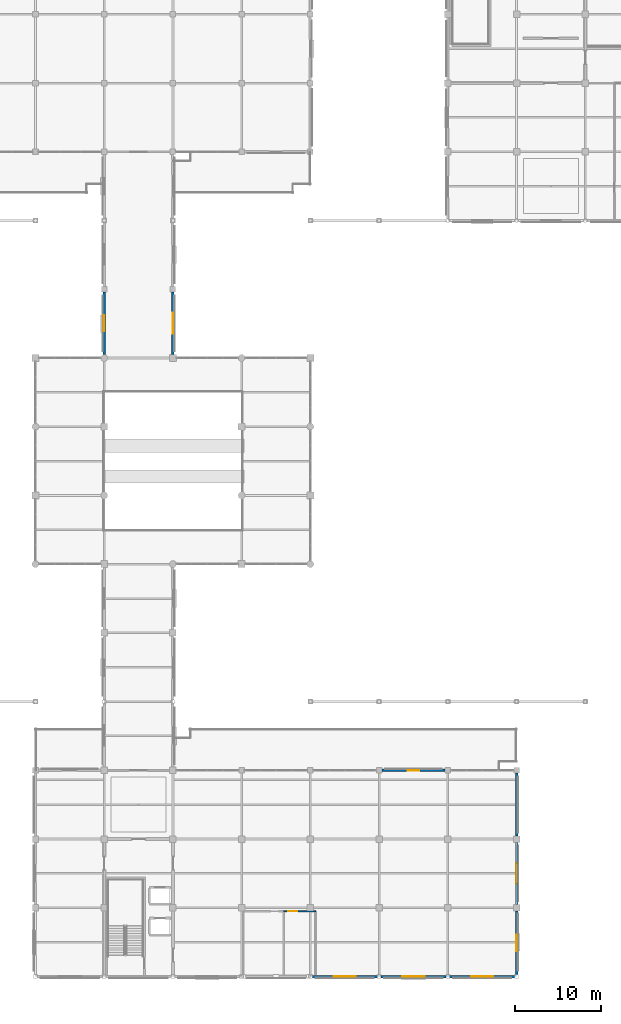
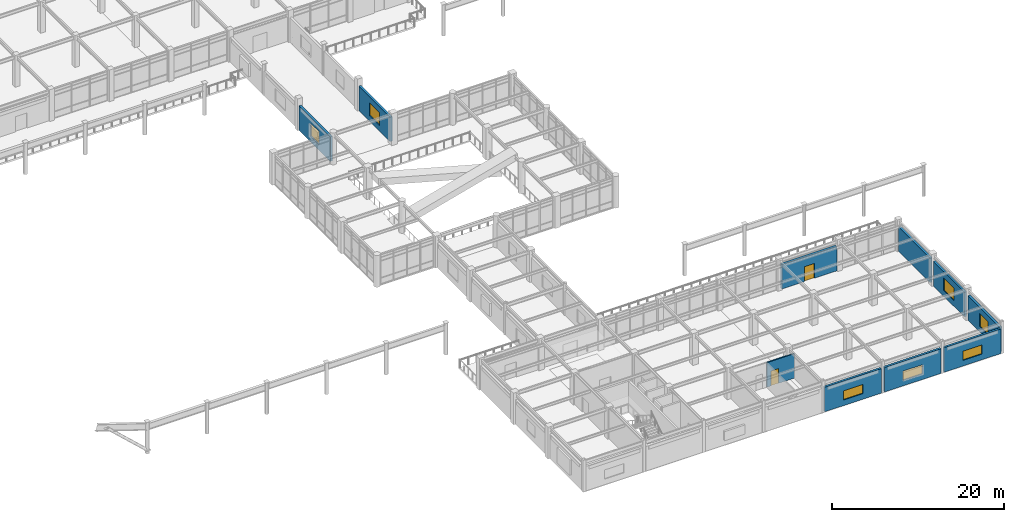
# One storey, part 61 of 78: 10 walls, 7 windows, 2 doors, 9 openings.
"""IFC4 building model written with IfcOpenShell, lengths in metres."""

from ifc_helpers import new_model, si_unit, direction, frame, frame_2d, origin, place, context, subcontext, project, spatial, rectangle, extrude, material, layer, layer_set, type_object, element, fill, save


model = new_model("IFC4")

# Units and contexts
model_context = context("Model", 3, precision=1e-05, world=origin(), true_north=direction((0.0, 1.0)))
body_context = subcontext(model_context, "Body", "Model", "MODEL_VIEW")
ifc_project = project(units=[si_unit("LENGTHUNIT", "METRE"), si_unit("AREAUNIT", "SQUARE_METRE"), si_unit("VOLUMEUNIT", "CUBIC_METRE"), si_unit("PLANEANGLEUNIT", "RADIAN"), si_unit("MASSUNIT", "GRAM", prefix="KILO")], contexts=[model_context])

# Site, building, storey
site_placement = place(None, origin())
site = spatial("IfcSite", under=ifc_project, at=site_placement, CompositionType="ELEMENT")
building_placement = place(site_placement, origin())
building = spatial("IfcBuilding", under=site, at=building_placement, Name="Solmirada Galleria", CompositionType="ELEMENT")
storey_placement = place(building_placement, frame((0.0, 0.0, 23.89990234375)))
storey = spatial("IfcBuildingStorey", under=building, at=storey_placement, Name="L05", CompositionType="ELEMENT", Elevation=23.89990234375)

# Wall, opening, window
ifc_material_1 = material(Name="Precast concrete C40/50", Category="concrete")
ifc_layer_1 = layer(ifc_material_1, 0.2900390625)
ifc_layer_set_1 = layer_set([ifc_layer_1], Name="Precast concrete C40/50")
wall_type_1 = type_object("IfcWallType", Name="WL-EXT-290", PredefinedType="STANDARD", material=ifc_layer_set_1)
wall_1_placement = place(storey_placement, frame((88.0, 72.39990234375, 0.0), z_axis=(0.0, 0.0, 1.0), x_axis=(0.0, 1.0, 0.0)))
wall_1 = element("IfcWall", 1, at=wall_1_placement, inside=storey, type_object=wall_type_1, Name="Exterior wall L05 bay 009", PredefinedType="STANDARD", context=body_context, shape_type="SweptSolid", body=[
    extrude(rectangle(XDim=7.275146484375, YDim=0.2900390625, at=frame_2d((3.6376953125, 0.0))), origin(), (0.0, 0.0, 1.0), 3.47998046875),
])
opening_1_placement = place(wall_1_placement, frame((2.68701171875, 0.0, 0.800048828125)))
opening_1 = element("IfcOpeningElement", 2, at=opening_1_placement, cuts=wall_1, Name="Opening WN5", PredefinedType="OPENING", context=body_context, shape_type="SweptSolid", body=[
    extrude(rectangle(XDim=1.89990234375, YDim=1.85009765625, at=frame_2d((0.949951171875, 0.925048828125))), frame((0.0, 0.155029296875, 0.0), z_axis=(0.0, -1.0, 0.0), x_axis=(1.0, 0.0, 0.0)), (0.0, 0.0, 1.0), 0.31005859375),
])
ifc_material_2 = material(Name="Impact-resistant low-E double glazing", Category="glass")
window_type_1 = type_object("IfcWindowType", Name="WIN-AVE-190X185", PartitioningType="SINGLE_PANEL", PredefinedType="WINDOW", material=ifc_material_2)
window_1_placement = place(opening_1_placement, origin())
window_1 = element("IfcWindow", 3, at=window_1_placement, inside=storey, type_object=window_type_1, Name="Window L05-150", OverallHeight=1.85009765625, OverallWidth=1.89990234375, PartitioningType="SINGLE_PANEL", PredefinedType="WINDOW", context=body_context, shape_type="SweptSolid", body=[
    extrude(rectangle(XDim=1.89990234375, YDim=1.85009765625, at=frame_2d((0.949951171875, 0.925048828125))), frame((0.0, 0.030029296875, 0.0), z_axis=(0.0, -1.0, 0.0), x_axis=(1.0, 0.0, 0.0)), (0.0, 0.0, 1.0), 0.06005859375),
])
fill(opening_1, window_1)

wall_2_placement = place(storey_placement, frame((96.0, 79.675048828125, 0.0), z_axis=(0.0, 0.0, 1.0), x_axis=(0.0, -1.0, 0.0)))
wall_2 = element("IfcWall", 4, at=wall_2_placement, inside=storey, type_object=wall_type_1, Name="Exterior wall L05 bay 037", PredefinedType="STANDARD", context=body_context, shape_type="SweptSolid", body=[
    extrude(rectangle(XDim=7.275146484375, YDim=0.2900390625, at=frame_2d((3.6376953125, 0.0))), origin(), (0.0, 0.0, 1.0), 3.47998046875),
])
opening_2_placement = place(wall_2_placement, frame((2.43701171875, 0.0, 0.800048828125)))
opening_2 = element("IfcOpeningElement", 5, at=opening_2_placement, cuts=wall_2, Name="Opening WN27", PredefinedType="OPENING", context=body_context, shape_type="SweptSolid", body=[
    extrude(rectangle(XDim=2.39990234375, YDim=1.800048828125, at=frame_2d((1.199951171875, 0.89990234375))), frame((0.0, 0.155029296875, 0.0), z_axis=(0.0, -1.0, 0.0), x_axis=(1.0, 0.0, 0.0)), (0.0, 0.0, 1.0), 0.31005859375),
])
window_type_2 = type_object("IfcWindowType", Name="WIN-MOD-240X180", PartitioningType="DOUBLE_PANEL_VERTICAL", PredefinedType="WINDOW", material=ifc_material_2)
window_2_placement = place(opening_2_placement, origin())
window_2 = element("IfcWindow", 6, at=window_2_placement, inside=storey, type_object=window_type_2, Name="Window L05-165", OverallHeight=1.800048828125, OverallWidth=2.39990234375, PartitioningType="DOUBLE_PANEL_VERTICAL", PredefinedType="WINDOW", context=body_context, shape_type="SweptSolid", body=[
    extrude(rectangle(XDim=2.39990234375, YDim=1.800048828125, at=frame_2d((1.199951171875, 0.89990234375))), frame((0.0, 0.030029296875, 0.0), z_axis=(0.0, -1.0, 0.0), x_axis=(1.0, 0.0, 0.0)), (0.0, 0.0, 1.0), 0.06005859375),
])
fill(opening_2, window_2)

# Wall, opening, door
wall_3_placement = place(storey_placement, frame((120.324951171875, 24.0, 0.0), z_axis=(0.0, 0.0, 1.0), x_axis=(1.0, 0.0, 0.0)))
wall_3 = element("IfcWall", 7, at=wall_3_placement, inside=storey, type_object=wall_type_1, Name="Exterior wall L05 bay 051", PredefinedType="STANDARD", context=body_context, shape_type="SweptSolid", body=[
    extrude(rectangle(XDim=7.35009765625, YDim=0.2900390625, at=frame_2d((3.675048828125, 0.0))), origin(), (0.0, 0.0, 1.0), 3.47998046875),
])
opening_3_placement = place(wall_3_placement, frame((3.0, 0.0, 0.0)))
opening_3 = element("IfcOpeningElement", 8, at=opening_3_placement, cuts=wall_3, Name="Opening TD-079", PredefinedType="OPENING", context=body_context, shape_type="SweptSolid", body=[
    extrude(rectangle(XDim=1.35009765625, YDim=2.10009765625, at=frame_2d((0.675048828125, 1.050048828125))), frame((0.0, 0.155029296875, 0.0), z_axis=(0.0, -1.0, 0.0), x_axis=(1.0, 0.0, 0.0)), (0.0, 0.0, 1.0), 0.31005859375),
])
ifc_material_3 = material(Name="Thermally broken aluminium and laminated glass door", Category="aluminium")
door_type_1 = type_object("IfcDoorType", Name="DR-TERR-135X210", OperationType="DOUBLE_DOOR_SINGLE_SWING", PredefinedType="DOOR", material=ifc_material_3)
door_1_placement = place(opening_3_placement, origin())
door_1 = element("IfcDoor", 9, at=door_1_placement, inside=storey, type_object=door_type_1, Name="Planted terrace access door TD-079", OperationType="DOUBLE_DOOR_SINGLE_SWING", OverallHeight=2.10009765625, OverallWidth=1.35009765625, PredefinedType="DOOR", context=body_context, shape_type="SweptSolid", body=[
    extrude(rectangle(XDim=1.35009765625, YDim=2.10009765625, at=frame_2d((0.675048828125, 1.050048828125))), frame((0.0, 0.02490234375, 0.0), z_axis=(0.0, -1.0, 0.0), x_axis=(1.0, 0.0, 0.0)), (0.0, 0.0, 1.0), 0.050048828125),
])
fill(opening_3, door_1)

# Wall
wall_4_placement = place(storey_placement, frame((136.0, 23.675048828125, 0.0), z_axis=(0.0, 0.0, 1.0), x_axis=(0.0, -1.0, 0.0)))
element("IfcWall", 10, at=wall_4_placement, inside=storey, type_object=wall_type_1, Name="Exterior wall L05 bay 053", PredefinedType="STANDARD", context=body_context, shape_type="SweptSolid", body=[
    extrude(rectangle(XDim=7.300048828125, YDim=0.2900390625, at=frame_2d((3.64990234375, 0.0))), origin(), (0.0, 0.0, 1.0), 3.47998046875),
])

# Wall, opening, window
wall_5_placement = place(storey_placement, frame((136.0, 15.625, 0.0), z_axis=(0.0, 0.0, 1.0), x_axis=(0.0, -1.0, 0.0)))
wall_5 = element("IfcWall", 11, at=wall_5_placement, inside=storey, type_object=wall_type_1, Name="Exterior wall L05 bay 054", PredefinedType="STANDARD", context=body_context, shape_type="SweptSolid", body=[
    extrude(rectangle(XDim=7.25, YDim=0.2900390625, at=frame_2d((3.625, 0.0))), origin(), (0.0, 0.0, 1.0), 3.47998046875),
])
opening_4_placement = place(wall_5_placement, frame((2.425048828125, 0.0, 0.800048828125)))
opening_4 = element("IfcOpeningElement", 12, at=opening_4_placement, cuts=wall_5, Name="Opening WN27", PredefinedType="OPENING", context=body_context, shape_type="SweptSolid", body=[
    extrude(rectangle(XDim=2.39990234375, YDim=1.800048828125, at=frame_2d((1.199951171875, 0.89990234375))), frame((0.0, 0.155029296875, 0.0), z_axis=(0.0, -1.0, 0.0), x_axis=(1.0, 0.0, 0.0)), (0.0, 0.0, 1.0), 0.31005859375),
])
window_3_placement = place(opening_4_placement, origin())
window_3 = element("IfcWindow", 13, at=window_3_placement, inside=storey, type_object=window_type_2, Name="Window L05-169", OverallHeight=1.800048828125, OverallWidth=2.39990234375, PartitioningType="DOUBLE_PANEL_VERTICAL", PredefinedType="WINDOW", context=body_context, shape_type="SweptSolid", body=[
    extrude(rectangle(XDim=2.39990234375, YDim=1.800048828125, at=frame_2d((1.199951171875, 0.89990234375))), frame((0.0, 0.030029296875, 0.0), z_axis=(0.0, -1.0, 0.0), x_axis=(1.0, 0.0, 0.0)), (0.0, 0.0, 1.0), 0.06005859375),
])
fill(opening_4, window_3)

wall_6_placement = place(storey_placement, frame((136.0, 7.625, 0.0), z_axis=(0.0, 0.0, 1.0), x_axis=(0.0, -1.0, 0.0)))
wall_6 = element("IfcWall", 14, at=wall_6_placement, inside=storey, type_object=wall_type_1, Name="Exterior wall L05 bay 055", PredefinedType="STANDARD", context=body_context, shape_type="SweptSolid", body=[
    extrude(rectangle(XDim=7.422119140625, YDim=0.2900390625, at=frame_2d((3.7109375, 0.0))), origin(), (0.0, 0.0, 1.0), 3.47998046875),
])
opening_5_placement = place(wall_6_placement, frame((2.760986328125, 0.0, 0.800048828125)))
opening_5 = element("IfcOpeningElement", 15, at=opening_5_placement, cuts=wall_6, Name="Opening WN5", PredefinedType="OPENING", context=body_context, shape_type="SweptSolid", body=[
    extrude(rectangle(XDim=1.89990234375, YDim=1.85009765625, at=frame_2d((0.949951171875, 0.925048828125))), frame((0.0, 0.155029296875, 0.0), z_axis=(0.0, -1.0, 0.0), x_axis=(1.0, 0.0, 0.0)), (0.0, 0.0, 1.0), 0.31005859375),
])
window_4_placement = place(opening_5_placement, origin())
window_4 = element("IfcWindow", 16, at=window_4_placement, inside=storey, type_object=window_type_1, Name="Window L05-170", OverallHeight=1.85009765625, OverallWidth=1.89990234375, PartitioningType="SINGLE_PANEL", PredefinedType="WINDOW", context=body_context, shape_type="SweptSolid", body=[
    extrude(rectangle(XDim=1.89990234375, YDim=1.85009765625, at=frame_2d((0.949951171875, 0.925048828125))), frame((0.0, 0.030029296875, 0.0), z_axis=(0.0, -1.0, 0.0), x_axis=(1.0, 0.0, 0.0)), (0.0, 0.0, 1.0), 0.06005859375),
])
fill(opening_5, window_4)

wall_7_placement = place(storey_placement, frame((135.797119140625, 0.0, 0.0), z_axis=(0.0, 0.0, 1.0), x_axis=(-1.0, 0.0, 0.0)))
wall_7 = element("IfcWall", 17, at=wall_7_placement, inside=storey, type_object=wall_type_1, Name="Exterior wall L05 bay 056", PredefinedType="STANDARD", context=body_context, shape_type="SweptSolid", body=[
    extrude(rectangle(XDim=7.59423828125, YDim=0.2900390625, at=frame_2d((3.797119140625, 0.0))), origin(), (0.0, 0.0, 1.0), 3.47998046875),
])
opening_6_placement = place(wall_7_placement, frame((2.4970703125, 0.0, 0.800048828125)))
opening_6 = element("IfcOpeningElement", 18, at=opening_6_placement, cuts=wall_7, Name="Opening WN36", PredefinedType="OPENING", context=body_context, shape_type="SweptSolid", body=[
    extrude(rectangle(XDim=2.60009765625, YDim=1.300048828125, at=frame_2d((1.300048828125, 0.64990234375))), frame((0.0, 0.155029296875, 0.0), z_axis=(0.0, -1.0, 0.0), x_axis=(1.0, 0.0, 0.0)), (0.0, 0.0, 1.0), 0.31005859375),
])
window_type_3 = type_object("IfcWindowType", Name="WIN-CLER-260X130", PartitioningType="DOUBLE_PANEL_VERTICAL", PredefinedType="WINDOW", material=ifc_material_2)
window_5_placement = place(opening_6_placement, origin())
window_5 = element("IfcWindow", 19, at=window_5_placement, inside=storey, type_object=window_type_3, Name="Window L05-171", OverallHeight=1.300048828125, OverallWidth=2.60009765625, PartitioningType="DOUBLE_PANEL_VERTICAL", PredefinedType="WINDOW", context=body_context, shape_type="SweptSolid", body=[
    extrude(rectangle(XDim=2.60009765625, YDim=1.300048828125, at=frame_2d((1.300048828125, 0.64990234375))), frame((0.0, 0.030029296875, 0.0), z_axis=(0.0, -1.0, 0.0), x_axis=(1.0, 0.0, 0.0)), (0.0, 0.0, 1.0), 0.06005859375),
])
fill(opening_6, window_5)

wall_8_placement = place(storey_placement, frame((127.797119140625, 0.0, 0.0), z_axis=(0.0, 0.0, 1.0), x_axis=(-1.0, 0.0, 0.0)))
wall_8 = element("IfcWall", 20, at=wall_8_placement, inside=storey, type_object=wall_type_1, Name="Exterior wall L05 bay 057", PredefinedType="STANDARD", context=body_context, shape_type="SweptSolid", body=[
    extrude(rectangle(XDim=7.59423828125, YDim=0.2900390625, at=frame_2d((3.797119140625, 0.0))), origin(), (0.0, 0.0, 1.0), 3.47998046875),
])
opening_7_placement = place(wall_8_placement, frame((2.4970703125, 0.0, 0.800048828125)))
opening_7 = element("IfcOpeningElement", 21, at=opening_7_placement, cuts=wall_8, Name="Opening WN36", PredefinedType="OPENING", context=body_context, shape_type="SweptSolid", body=[
    extrude(rectangle(XDim=2.60009765625, YDim=1.300048828125, at=frame_2d((1.300048828125, 0.64990234375))), frame((0.0, 0.155029296875, 0.0), z_axis=(0.0, -1.0, 0.0), x_axis=(1.0, 0.0, 0.0)), (0.0, 0.0, 1.0), 0.31005859375),
])
window_6_placement = place(opening_7_placement, origin())
window_6 = element("IfcWindow", 22, at=window_6_placement, inside=storey, type_object=window_type_3, Name="Window L05-172", OverallHeight=1.300048828125, OverallWidth=2.60009765625, PartitioningType="DOUBLE_PANEL_VERTICAL", PredefinedType="WINDOW", context=body_context, shape_type="SweptSolid", body=[
    extrude(rectangle(XDim=2.60009765625, YDim=1.300048828125, at=frame_2d((1.300048828125, 0.64990234375))), frame((0.0, 0.030029296875, 0.0), z_axis=(0.0, -1.0, 0.0), x_axis=(1.0, 0.0, 0.0)), (0.0, 0.0, 1.0), 0.06005859375),
])
fill(opening_7, window_6)

wall_9_placement = place(storey_placement, frame((119.797119140625, 0.0, 0.0), z_axis=(0.0, 0.0, 1.0), x_axis=(-1.0, 0.0, 0.0)))
wall_9 = element("IfcWall", 23, at=wall_9_placement, inside=storey, type_object=wall_type_1, Name="Exterior wall L05 bay 058", PredefinedType="STANDARD", context=body_context, shape_type="SweptSolid", body=[
    extrude(rectangle(XDim=7.59423828125, YDim=0.2900390625, at=frame_2d((3.797119140625, 0.0))), origin(), (0.0, 0.0, 1.0), 3.47998046875),
])
opening_8_placement = place(wall_9_placement, frame((2.4970703125, 0.0, 0.800048828125)))
opening_8 = element("IfcOpeningElement", 24, at=opening_8_placement, cuts=wall_9, Name="Opening WN36", PredefinedType="OPENING", context=body_context, shape_type="SweptSolid", body=[
    extrude(rectangle(XDim=2.60009765625, YDim=1.300048828125, at=frame_2d((1.300048828125, 0.64990234375))), frame((0.0, 0.155029296875, 0.0), z_axis=(0.0, -1.0, 0.0), x_axis=(1.0, 0.0, 0.0)), (0.0, 0.0, 1.0), 0.31005859375),
])
window_7_placement = place(opening_8_placement, origin())
window_7 = element("IfcWindow", 25, at=window_7_placement, inside=storey, type_object=window_type_3, Name="Window L05-173", OverallHeight=1.300048828125, OverallWidth=2.60009765625, PartitioningType="DOUBLE_PANEL_VERTICAL", PredefinedType="WINDOW", context=body_context, shape_type="SweptSolid", body=[
    extrude(rectangle(XDim=2.60009765625, YDim=1.300048828125, at=frame_2d((1.300048828125, 0.64990234375))), frame((0.0, 0.030029296875, 0.0), z_axis=(0.0, -1.0, 0.0), x_axis=(1.0, 0.0, 0.0)), (0.0, 0.0, 1.0), 0.06005859375),
])
fill(opening_8, window_7)

# Wall, opening, door
ifc_material_4 = material(Name="Acoustic gypsum board partition")
ifc_layer_2 = layer(ifc_material_4, 0.159912109375)
ifc_layer_set_2 = layer_set([ifc_layer_2], Name="Acoustic gypsum board partition")
wall_type_2 = type_object("IfcWallType", Name="WL-PART-160", PredefinedType="PARTITIONING", material=ifc_layer_set_2)
wall_10_placement = place(storey_placement, frame((108.89990234375, 7.60009765625, 0.0), z_axis=(0.0, 0.0, 1.0), x_axis=(1.0, 0.0, 0.0)))
wall_10 = element("IfcWall", 26, at=wall_10_placement, inside=storey, type_object=wall_type_2, Name="Partition L05-150 (South Accessible WC)", PredefinedType="PARTITIONING", context=body_context, shape_type="SweptSolid", body=[
    extrude(rectangle(XDim=3.7001953125, YDim=0.159912109375, at=frame_2d((1.85009765625, 0.0))), origin(), (0.0, 0.0, 1.0), 3.47998046875),
])
opening_9_placement = place(wall_10_placement, frame((0.548095703125, 0.0, 0.0)))
opening_9 = element("IfcOpeningElement", 27, at=opening_9_placement, cuts=wall_10, Name="Opening ID-367", PredefinedType="OPENING", context=body_context, shape_type="SweptSolid", body=[
    extrude(rectangle(XDim=1.02001953125, YDim=2.10009765625, at=frame_2d((0.510009765625, 1.050048828125))), frame((0.0, 0.08984375, 0.0), z_axis=(0.0, -1.0, 0.0), x_axis=(1.0, 0.0, 0.0)), (0.0, 0.0, 1.0), 0.179931640625),
])
ifc_material_5 = material(Name="Architectural hardwood veneer door", Category="wood")
door_type_2 = type_object("IfcDoorType", Name="DR-AWC-102X210", OperationType="NOTDEFINED", PredefinedType="DOOR", material=ifc_material_5)
door_2_placement = place(opening_9_placement, origin())
door_2 = element("IfcDoor", 28, at=door_2_placement, inside=storey, type_object=door_type_2, Name="South Accessible WC door ID-367", OperationType="SINGLE_SWING_RIGHT", OverallHeight=2.10009765625, OverallWidth=1.02001953125, PredefinedType="DOOR", context=body_context, shape_type="SweptSolid", body=[
    extrude(rectangle(XDim=1.02001953125, YDim=2.10009765625, at=frame_2d((0.510009765625, 1.050048828125))), frame((0.0, 0.02490234375, 0.0), z_axis=(0.0, -1.0, 0.0), x_axis=(1.0, 0.0, 0.0)), (0.0, 0.0, 1.0), 0.050048828125),
])
fill(opening_9, door_2)

save(model, "model.ifc")
